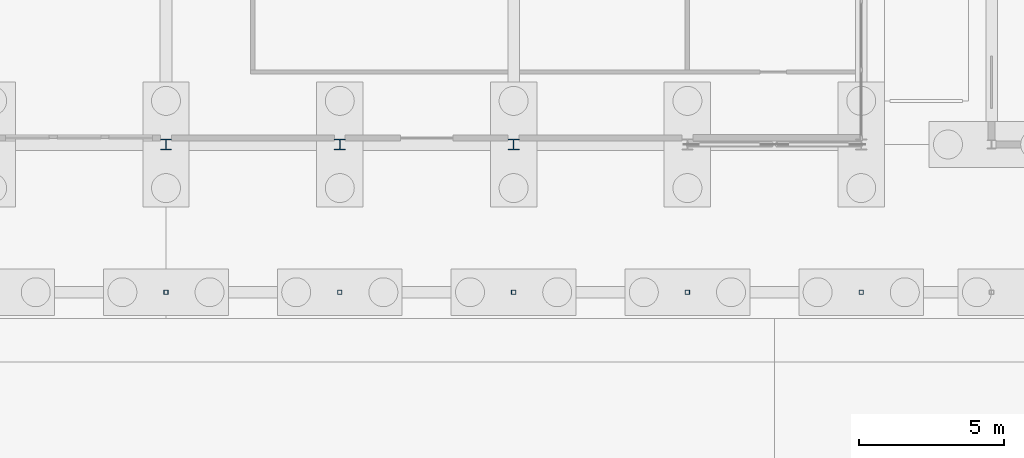
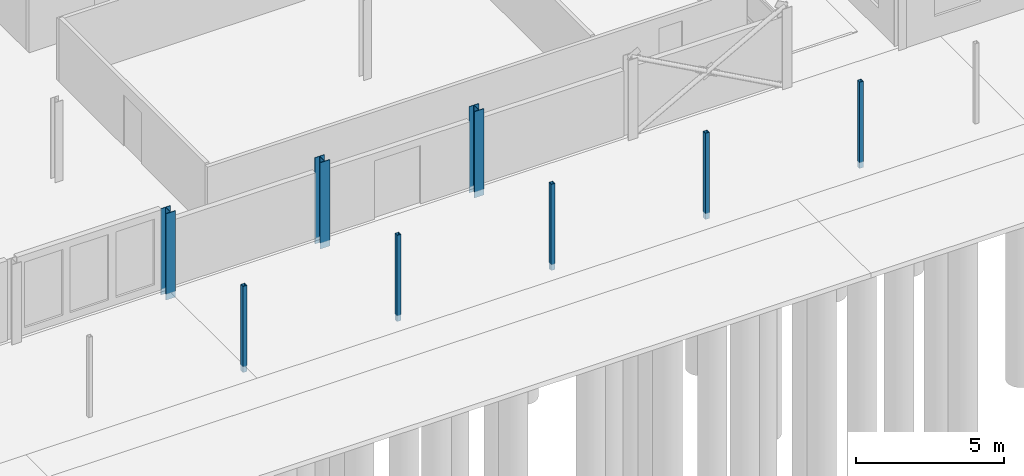
# One storey, part 13 of 130: 8 columns.
"""IFC4 building model written with IfcOpenShell, lengths in metres."""

from ifc_helpers import new_model, si_unit, direction, frame, origin, origin_2d, place, context, subcontext, project, spatial, hollow_rectangle, i_section, extrude, material, material_profile, profile_set, type_object, element, save


model = new_model("IFC4")

# Units and contexts
model_context = context("Model", 3, precision=1e-05, world=origin(), true_north=direction((0.0, 1.0)))
body_context = subcontext(model_context, "Body", "Model", "MODEL_VIEW")
ifc_project = project(units=[si_unit("LENGTHUNIT", "METRE"), si_unit("AREAUNIT", "SQUARE_METRE"), si_unit("VOLUMEUNIT", "CUBIC_METRE"), si_unit("PLANEANGLEUNIT", "RADIAN"), si_unit("MASSUNIT", "GRAM", prefix="KILO")], contexts=[model_context])

# Site, building, storey
site_placement = place(None, origin())
site = spatial("IfcSite", under=ifc_project, at=site_placement, CompositionType="ELEMENT")
building_placement = place(site_placement, origin())
building = spatial("IfcBuilding", under=site, at=building_placement, Name="Parallax Yard Mobility Hub", CompositionType="ELEMENT")
storey_placement = place(building_placement, origin())
storey = spatial("IfcBuildingStorey", under=building, at=storey_placement, Name="L00", CompositionType="ELEMENT", Elevation=0.0)

# Columns
ifc_material_1 = material(Name="Steel ASTM A500 Gr C", Category="steel")
ifc_material_profile_1 = material_profile(ifc_material_1, hollow_rectangle(XDim=0.15234375, YDim=0.15234375, WallThickness=0.009521484375, at=origin_2d()), Name="HSS152x152x9.5")
ifc_profile_set_1 = profile_set([ifc_material_profile_1], Name="Steel ASTM A500 Gr C")
column_type_1 = type_object("IfcColumnType", Name="Roof column HSS152x152x9.5", PredefinedType="COLUMN", material=ifc_profile_set_1)
for number, where, z_axis, x_axis, name in (
    (1, (69.0, 2.39990234375, -0.25), (0.0, 0.0, 1.0), (1.0, 0.0, 0.0), "Arcade column V1 11 level L00"),
    (2, (75.0, 2.39990234375, -0.25), (0.0, 0.0, 1.0), (1.0, 0.0, 0.0), "Arcade column V1 12 level L00"),
    (3, (81.0, 2.39990234375, -0.25), (0.0, 0.0, 1.0), (1.0, 0.0, 0.0), "Arcade column V1 13 level L00"),
    (4, (87.0, 2.39990234375, -0.25), (0.0, 0.0, 1.0), (1.0, 0.0, 0.0), "Arcade column V1 14 level L00"),
    (5, (93.0, 2.39990234375, -0.25), (0.0, 0.0, 1.0), (1.0, 0.0, 0.0), "Arcade column V1 15 level L00"),
):
    element("IfcColumn", number, at=place(storey_placement, frame(where, z_axis=z_axis, x_axis=x_axis)), inside=storey, type_object=column_type_1, Name=name, PredefinedType="COLUMN", context=body_context, shape_type="SweptSolid", body=[
        extrude(hollow_rectangle(XDim=0.15234375, YDim=0.15234375, WallThickness=0.009521484375, at=origin_2d()), origin(), (0.0, 0.0, 1.0), 3.550048828125),
    ])
ifc_material_2 = material(Name="Steel ASTM A992", Category="steel")
ifc_material_profile_2 = material_profile(ifc_material_2, i_section(OverallWidth=0.373046875, OverallDepth=0.367919921875, WebThickness=0.014892578125, FlangeThickness=0.02392578125, FilletRadius=0.01513671875, at=origin_2d()), Name="W360x179")
ifc_profile_set_2 = profile_set([ifc_material_profile_2], Name="Steel ASTM A992")
column_type_2 = type_object("IfcColumnType", Name="W360x179 column", PredefinedType="COLUMN", material=ifc_profile_set_2)
for number, where, z_axis, x_axis, name in (
    (6, (69.0, 7.5, -0.25), (0.0, 0.0, 1.0), (1.0, 0.0, 0.0), "Column C7 level L00 at F11/B of bus and taxi deck"),
    (7, (75.0, 7.5, -0.25), (0.0, 0.0, 1.0), (1.0, 0.0, 0.0), "Column C7 level L00 at F12/B of bus and taxi deck"),
    (8, (81.0, 7.5, -0.25), (0.0, 0.0, 1.0), (1.0, 0.0, 0.0), "Column C7 level L00 at F13/B of bus and taxi deck"),
):
    element("IfcColumn", number, at=place(storey_placement, frame(where, z_axis=z_axis, x_axis=x_axis)), inside=storey, type_object=column_type_2, Name=name, PredefinedType="COLUMN", context=body_context, shape_type="SweptSolid", body=[
        extrude(i_section(OverallWidth=0.373046875, OverallDepth=0.367919921875, WebThickness=0.014892578125, FlangeThickness=0.02392578125, FilletRadius=0.01513671875, at=origin_2d()), origin(), (0.0, 0.0, 1.0), 3.550048828125),
    ])

save(model, "model.ifc")
